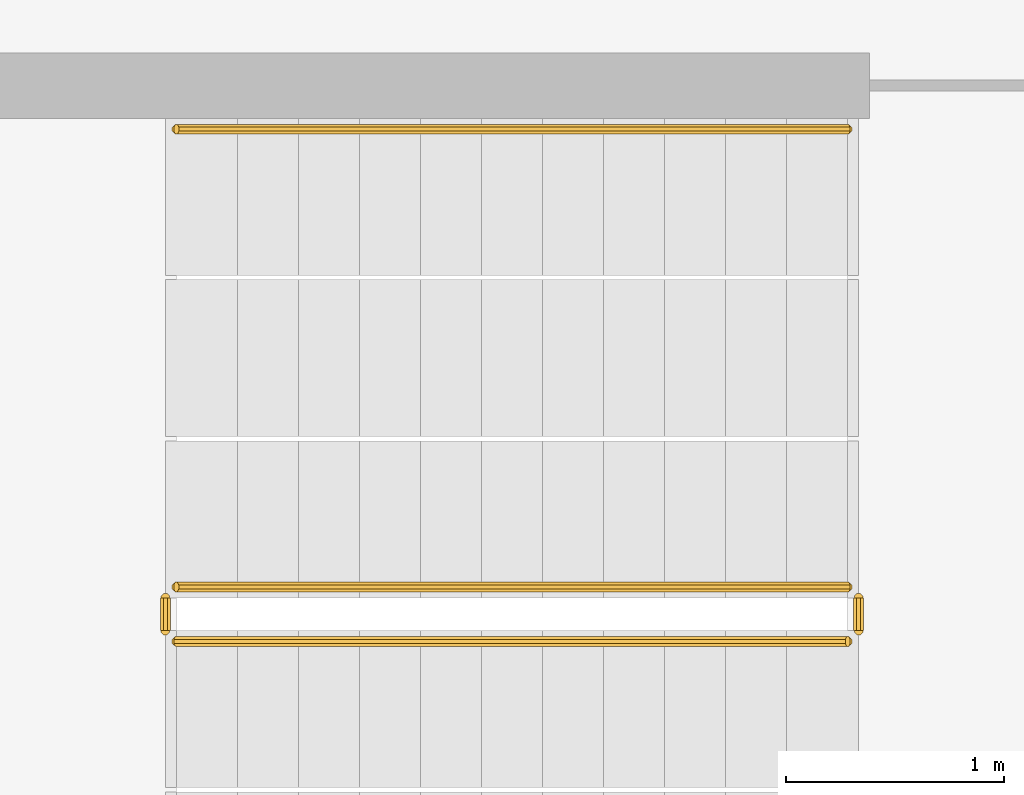
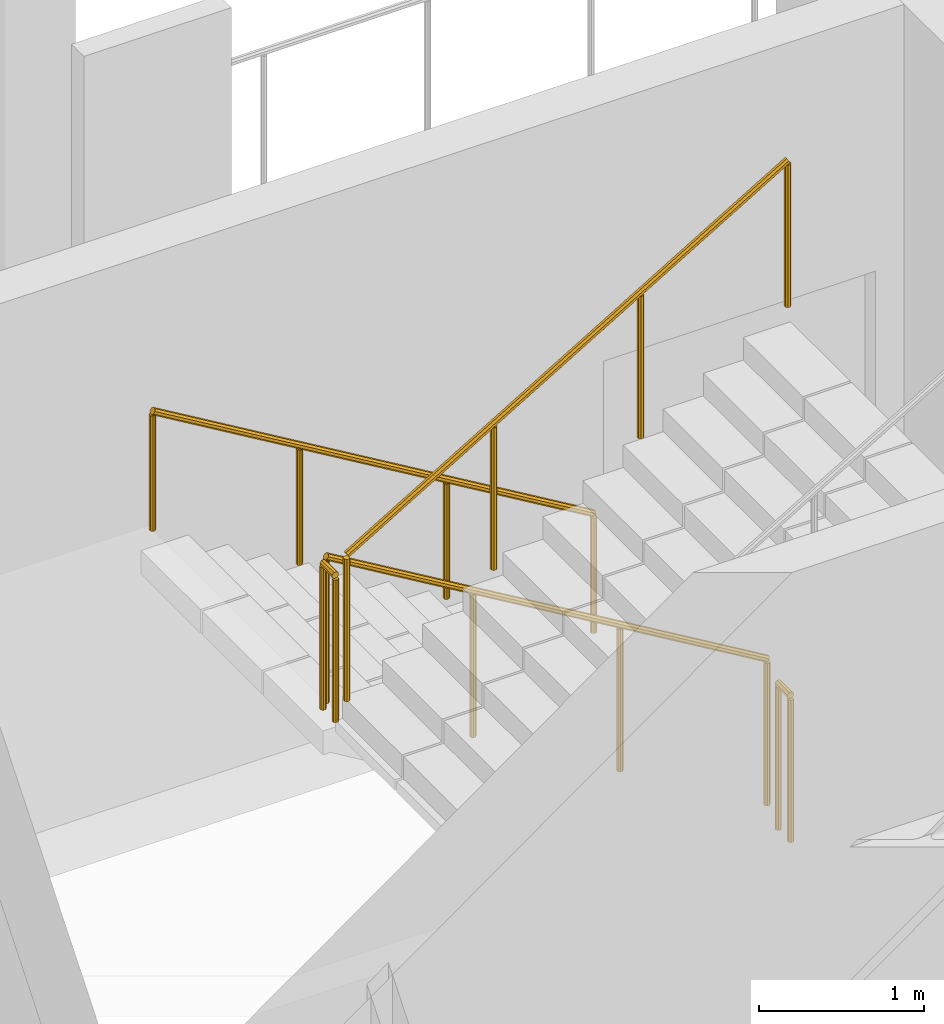
# One storey, part 20 of 28: 5 railings.
"""IFC4 building model written with IfcOpenShell, lengths in metres."""

import ifcopenshell
import ifcopenshell.guid

model = None  # the IFC model being written
_history = None  # IfcOwnerHistory: only IFC2X3 demands one
_inside = {}  # id of a spatial element -> (the spatial element, [elements in it])
_under = {}  # id of a project, library or spatial element -> (it, [spatial elements below it])
_declared = {}  # id of a project -> (the project, [libraries it declares])
_typed = {}  # id of a type object -> (the type object, [elements of that type])
_made_of = {}  # id of a material, layer set ... -> (it, [elements and type objects made of it])


def new_model(schema):
    """Start an empty IFC model of exactly this schema.

    Asked for "IFC4X3", IfcOpenShell would pick the latest addendum, in which some entities
    have other attributes; the version numbers below select the first issue.
    IFC2X3 requires an IfcOwnerHistory on every rooted entity: one is made here for all.
    """
    global model, _history
    if schema == "IFC4X3":
        model = ifcopenshell.file(schema_version=(4, 3, 0, 0))
    else:
        model = ifcopenshell.file(schema=schema)
    _inside.clear()
    _under.clear()
    _declared.clear()
    _typed.clear()
    _made_of.clear()
    _history = None
    if model.schema == "IFC2X3":
        org = make("IfcOrganization", Name="unknown")
        user = make(
            "IfcPersonAndOrganization",
            ThePerson=make("IfcPerson", FamilyName="unknown"),
            TheOrganization=org,
        )
        app = make(
            "IfcApplication",
            ApplicationDeveloper=org,
            Version="unknown",
            ApplicationFullName="unknown",
            ApplicationIdentifier="unknown",
        )
        _history = make(
            "IfcOwnerHistory",
            OwningUser=user,
            OwningApplication=app,
            ChangeAction="ADDED",
            CreationDate=0,
        )
    return model


def make(cls, **values):
    """One entity of the class cls with the attributes given. An attribute that is None is left unset."""
    return model.create_entity(
        cls, **{name: value for name, value in values.items() if value is not None}
    )


def rooted(cls, **values):
    """An entity with a GlobalId (a new one), such as an element, a storey or a relation."""
    return make(cls, GlobalId=ifcopenshell.guid.new(), OwnerHistory=_history, **values)


def si_unit(unit_type, name, prefix=None):
    """IfcSIUnit, for example si_unit("LENGTHUNIT", "METRE", prefix="MILLI")."""
    return make("IfcSIUnit", UnitType=unit_type, Prefix=prefix, Name=name)


def assignment(units):
    """IfcUnitAssignment: the units of a project."""
    return None if units is None else make("IfcUnitAssignment", Units=units)


def point(xyz):
    """IfcCartesianPoint."""
    return None if xyz is None else make("IfcCartesianPoint", Coordinates=xyz)


def direction(xyz):
    """IfcDirection."""
    return None if xyz is None else make("IfcDirection", DirectionRatios=xyz)


def frame(location, z_axis=None, x_axis=None):
    """IfcAxis2Placement3D, a coordinate frame: its origin and axes. An axis left out is left unset."""
    return make(
        "IfcAxis2Placement3D",
        Location=point(location),
        Axis=direction(z_axis),
        RefDirection=direction(x_axis),
    )


def origin():
    """The frame at (0, 0, 0) with its axes left unset."""
    return frame((0.0, 0.0, 0.0))


def place(relative_to, where):
    """IfcLocalPlacement: puts the frame where relative to a parent placement (None: the world)."""
    return make(
        "IfcLocalPlacement", PlacementRelTo=relative_to, RelativePlacement=where
    )


def context(
    kind, dimensions, precision=None, world=None, true_north=None, identifier=None
):
    """IfcGeometricRepresentationContext, for example the 3D "Model" context."""
    return make(
        "IfcGeometricRepresentationContext",
        ContextIdentifier=identifier,
        ContextType=kind,
        CoordinateSpaceDimension=dimensions,
        Precision=precision,
        WorldCoordinateSystem=world,
        TrueNorth=true_north,
    )


def subcontext(parent, identifier, kind, view, scale=None):
    """IfcGeometricRepresentationSubContext, for example "Body" below "Model"."""
    return make(
        "IfcGeometricRepresentationSubContext",
        ContextIdentifier=identifier,
        ContextType=kind,
        ParentContext=parent,
        TargetScale=scale,
        TargetView=view,
    )


def project(units=None, contexts=None):
    """IfcProject with its units and contexts."""
    return rooted(
        "IfcProject",
        Name="project",
        RepresentationContexts=contexts,
        UnitsInContext=assignment(units),
    )


def spatial(cls, under=None, at=None, **own):
    """A site, building, storey or space (cls), placed at a placement, below another one or the project."""
    s = rooted(cls, ObjectPlacement=at, **own)
    if under is not None:
        _under.setdefault(under.id(), (under, []))[1].append(s)
    return s


def polyline(points):
    """IfcPolyline through the points."""
    return make("IfcPolyline", Points=[point(p) for p in points])


def outline(outer, holes=None, kind="AREA"):
    """IfcArbitraryClosedProfileDef: a profile drawn as a closed curve; with holes, ...WithVoids."""
    if holes is None:
        return make("IfcArbitraryClosedProfileDef", ProfileType=kind, OuterCurve=outer)
    return make(
        "IfcArbitraryProfileDefWithVoids",
        ProfileType=kind,
        OuterCurve=outer,
        InnerCurves=holes,
    )


def extrude(swept, where, along, depth):
    """IfcExtrudedAreaSolid: the profile swept, set in the frame where, extruded along a direction by depth."""
    return make(
        "IfcExtrudedAreaSolid",
        SweptArea=swept,
        Position=where,
        ExtrudedDirection=direction(along),
        Depth=depth,
    )


def shape(context_of_items, identifier, shape_type, items):
    """IfcShapeRepresentation: the items that make up one representation, for example the "Body"."""
    return make(
        "IfcShapeRepresentation",
        ContextOfItems=context_of_items,
        RepresentationIdentifier=identifier,
        RepresentationType=shape_type,
        Items=items,
    )


def material(Name=None, Category=None):
    """IfcMaterial."""
    return make("IfcMaterial", Name=Name, Category=Category)


def made_of(thing, what):
    """Note that an element or type object is made of a material, layer set ...; save() writes the relation."""
    if what is not None:
        _made_of.setdefault(what.id(), (what, []))[1].append(thing)
    return thing


def type_object(cls, material=None, **own):
    """A type object (cls), such as IfcWallType, which elements share."""
    return made_of(rooted(cls, **own), material)


def element(
    cls,
    number,
    at=None,
    inside=None,
    cuts=None,
    type_object=None,
    material=None,
    context=None,
    identifier="Body",
    shape_type=None,
    held_by="IfcProductDefinitionShape",
    body=None,
    shapes=None,
    **own,
):
    """One element of the class cls, such as IfcWall. Its Tag is "e" and its number.

    at: its placement. inside: the storey or other place that contains it. cuts: it is an
    opening in that element (IfcRelVoidsElement). A single representation is given by context,
    identifier, shape_type and body (its items); several are given by shapes. held_by: the class
    of the entity that holds the representations. save() writes the other relations.
    """
    e = rooted(cls, Tag="e%d" % number, ObjectPlacement=at, **own)
    if body is not None:
        shapes = [shape(context, identifier, shape_type, body)]
    if shapes is not None:
        e.Representation = make(held_by, Representations=shapes)
    if inside is not None:
        _inside.setdefault(inside.id(), (inside, []))[1].append(e)
    if cuts is not None:
        rooted(
            "IfcRelVoidsElement", RelatingBuildingElement=cuts, RelatedOpeningElement=e
        )
    if type_object is not None:
        _typed.setdefault(type_object.id(), (type_object, []))[1].append(e)
    return made_of(e, material)


def aggregate(whole, parts):
    """IfcRelAggregates: a whole, such as a stair, and the parts it consists of."""
    return rooted("IfcRelAggregates", RelatingObject=whole, RelatedObjects=parts)


def save(model, path):
    """Write the relations noted so far, then the file.

    IfcRelAggregates (storeys below a building ...), IfcRelContainedInSpatialStructure (elements
    in a storey), IfcRelDefinesByType, IfcRelAssociatesMaterial and IfcRelDeclares: one each for
    every whole, place, type object, material and project.
    """
    for whole, parts in _under.values():
        aggregate(whole, parts)
    for where, things in _inside.values():
        rooted(
            "IfcRelContainedInSpatialStructure",
            RelatedElements=things,
            RelatingStructure=where,
        )
    for kind, things in _typed.values():
        rooted("IfcRelDefinesByType", RelatedObjects=things, RelatingType=kind)
    for what, things in _made_of.values():
        rooted("IfcRelAssociatesMaterial", RelatedObjects=things, RelatingMaterial=what)
    for by, libraries in _declared.values():
        rooted("IfcRelDeclares", RelatingContext=by, RelatedDefinitions=libraries)
    model.write(path)


model = new_model("IFC4")

# Units and contexts
model_context = context("Model", 3, precision=1e-05, world=origin(), true_north=direction((0.0, 1.0)))
body_context = subcontext(model_context, "Body", "Model", "MODEL_VIEW")
ifc_project = project(units=[si_unit("LENGTHUNIT", "METRE"), si_unit("AREAUNIT", "SQUARE_METRE"), si_unit("VOLUMEUNIT", "CUBIC_METRE"), si_unit("PLANEANGLEUNIT", "RADIAN"), si_unit("MASSUNIT", "GRAM", prefix="KILO")], contexts=[model_context])

# Site, building, storey
site_placement = place(None, origin())
site = spatial("IfcSite", under=ifc_project, at=site_placement, CompositionType="ELEMENT")
building_placement = place(site_placement, origin())
building = spatial("IfcBuilding", under=site, at=building_placement, Name="Cormorant Relay Tower", CompositionType="ELEMENT")
storey_placement = place(building_placement, frame((0.0, 0.0, 154.199951171875)))
storey = spatial("IfcBuildingStorey", under=building, at=storey_placement, Name="L32", CompositionType="ELEMENT", Elevation=154.199951171875)

# Railings
ifc_material_1 = material(Name="Steel ASTM A572 Grade 50 (Fy 345 MPa)", Category="steel")
railing_type_1 = type_object("IfcRailingType", Name="Stair guard 1100", PredefinedType="GUARDRAIL", material=ifc_material_1)
railing_1_placement = place(storey_placement, frame((1.60009765625, -18.27490234375, 0.166748046875)))
element("IfcRailing", 1, at=railing_1_placement, inside=storey, type_object=railing_type_1, Name="L32 RK1 stair guard 1", PredefinedType="GUARDRAIL", context=body_context, shape_type="SweptSolid", body=[
    extrude(outline(polyline([(0.022216796875, 0.00927734375), (0.00927734375, 0.022216796875), (-0.00927734375, 0.022216796875), (-0.022216796875, 0.00927734375), (-0.022216796875, -0.00927734375), (-0.00927734375, -0.022216796875), (0.00927734375, -0.022216796875), (0.022216796875, -0.00927734375), (0.022216796875, 0.00927734375)])), frame((0.0, 0.0, 1.076171875), z_axis=(-0.859308565015, 0.0, 0.511457515432), x_axis=(0.0, -1.0, 0.0)), (0.0, 0.0, 1.0), 3.58447265625),
    extrude(outline(polyline([(0.019287109375, 0.008056640625), (0.008056640625, 0.019287109375), (-0.008056640625, 0.019287109375), (-0.019287109375, 0.008056640625), (-0.019287109375, -0.008056640625), (-0.008056640625, -0.019287109375), (0.008056640625, -0.019287109375), (0.019287109375, -0.008056640625), (0.019287109375, 0.008056640625)])), origin(), (0.0, 0.0, 1.0), 1.052001953125),
    extrude(outline(polyline([(0.019287109375, 0.008056640625), (0.008056640625, 0.019287109375), (-0.008056640625, 0.019287109375), (-0.019287109375, 0.008056640625), (-0.019287109375, -0.008056640625), (-0.008056640625, -0.019287109375), (0.008056640625, -0.019287109375), (0.019287109375, -0.008056640625), (0.019287109375, 0.008056640625)])), frame((-1.026611328125, 0.0, 0.611083984375)), (0.0, 0.0, 1.0), 1.052001953125),
    extrude(outline(polyline([(0.019287109375, 0.008056640625), (0.008056640625, 0.019287109375), (-0.008056640625, 0.019287109375), (-0.019287109375, 0.008056640625), (-0.019287109375, -0.008056640625), (-0.008056640625, -0.019287109375), (0.008056640625, -0.019287109375), (0.019287109375, -0.008056640625), (0.019287109375, 0.008056640625)])), frame((-2.053466796875, 0.0, 1.22216796875)), (0.0, 0.0, 1.0), 1.052001953125),
    extrude(outline(polyline([(0.019287109375, 0.008056640625), (0.008056640625, 0.019287109375), (-0.008056640625, 0.019287109375), (-0.019287109375, 0.008056640625), (-0.019287109375, -0.008056640625), (-0.008056640625, -0.019287109375), (0.008056640625, -0.019287109375), (0.019287109375, -0.008056640625), (0.019287109375, 0.008056640625)])), frame((-3.080078125, 0.0, 1.833251953125)), (0.0, 0.0, 1.0), 1.052001953125),
])
railing_2_placement = place(storey_placement, frame((-1.530029296875, -18.324951171875, 2.0)))
element("IfcRailing", 2, at=railing_2_placement, inside=storey, type_object=railing_type_1, Name="L32 RK1 stair guard 2", PredefinedType="GUARDRAIL", context=body_context, shape_type="SweptSolid", body=[
    extrude(outline(polyline([(0.022216796875, 0.00927734375), (0.00927734375, 0.022216796875), (-0.00927734375, 0.022216796875), (-0.022216796875, 0.00927734375), (-0.022216796875, -0.00927734375), (-0.00927734375, -0.022216796875), (0.00927734375, -0.022216796875), (0.022216796875, -0.00927734375), (0.022216796875, 0.00927734375)])), frame((0.0, 0.0, 1.076171875), z_axis=(0.0, -1.0, 0.0), x_axis=(1.0, 0.0, 0.0)), (0.0, 0.0, 1.0), 0.150146484375),
    extrude(outline(polyline([(0.019287109375, 0.008056640625), (0.008056640625, 0.019287109375), (-0.008056640625, 0.019287109375), (-0.019287109375, 0.008056640625), (-0.019287109375, -0.008056640625), (-0.008056640625, -0.019287109375), (0.008056640625, -0.019287109375), (0.019287109375, -0.008056640625), (0.019287109375, 0.008056640625)])), origin(), (0.0, 0.0, 1.0), 1.052001953125),
    extrude(outline(polyline([(0.019287109375, 0.008056640625), (0.008056640625, 0.019287109375), (-0.008056640625, 0.019287109375), (-0.019287109375, 0.008056640625), (-0.019287109375, -0.008056640625), (-0.008056640625, -0.019287109375), (0.008056640625, -0.019287109375), (0.019287109375, -0.008056640625), (0.019287109375, 0.008056640625)])), frame((0.0, -0.150146484375, 0.0)), (0.0, 0.0, 1.0), 1.052001953125),
])
railing_3_placement = place(storey_placement, frame((-1.47998046875, -18.52490234375, 2.166748046875)))
element("IfcRailing", 3, at=railing_3_placement, inside=storey, type_object=railing_type_1, Name="L32 RK1 stair guard 3", PredefinedType="GUARDRAIL", context=body_context, shape_type="SweptSolid", body=[
    extrude(outline(polyline([(0.022216796875, 0.00927734375), (0.00927734375, 0.022216796875), (-0.00927734375, 0.022216796875), (-0.022216796875, 0.00927734375), (-0.022216796875, -0.00927734375), (-0.00927734375, -0.022216796875), (0.00927734375, -0.022216796875), (0.022216796875, -0.00927734375), (0.022216796875, 0.00927734375)])), frame((0.0, 0.0, 1.076171875), z_axis=(0.859308565015, 0.0, 0.511457515432), x_axis=(0.0, 1.0, 0.0)), (0.0, 0.0, 1.0), 3.58447265625),
    extrude(outline(polyline([(0.019287109375, 0.008056640625), (0.008056640625, 0.019287109375), (-0.008056640625, 0.019287109375), (-0.019287109375, 0.008056640625), (-0.019287109375, -0.008056640625), (-0.008056640625, -0.019287109375), (0.008056640625, -0.019287109375), (0.019287109375, -0.008056640625), (0.019287109375, 0.008056640625)])), origin(), (0.0, 0.0, 1.0), 1.052001953125),
    extrude(outline(polyline([(0.019287109375, 0.008056640625), (0.008056640625, 0.019287109375), (-0.008056640625, 0.019287109375), (-0.019287109375, 0.008056640625), (-0.019287109375, -0.008056640625), (-0.008056640625, -0.019287109375), (0.008056640625, -0.019287109375), (0.019287109375, -0.008056640625), (0.019287109375, 0.008056640625)])), frame((1.026611328125, 0.0, 0.611083984375)), (0.0, 0.0, 1.0), 1.052001953125),
    extrude(outline(polyline([(0.019287109375, 0.008056640625), (0.008056640625, 0.019287109375), (-0.008056640625, 0.019287109375), (-0.019287109375, 0.008056640625), (-0.019287109375, -0.008056640625), (-0.008056640625, -0.019287109375), (0.008056640625, -0.019287109375), (0.019287109375, -0.008056640625), (0.019287109375, 0.008056640625)])), frame((2.053466796875, 0.0, 1.22216796875)), (0.0, 0.0, 1.0), 1.052001953125),
    extrude(outline(polyline([(0.019287109375, 0.008056640625), (0.008056640625, 0.019287109375), (-0.008056640625, 0.019287109375), (-0.019287109375, 0.008056640625), (-0.019287109375, -0.008056640625), (-0.008056640625, -0.019287109375), (0.008056640625, -0.019287109375), (0.019287109375, -0.008056640625), (0.019287109375, 0.008056640625)])), frame((3.080078125, 0.0, 1.833251953125)), (0.0, 0.0, 1.0), 1.052001953125),
])
railing_4_placement = place(storey_placement, frame((1.64990234375, -18.324951171875, 0.0)))
element("IfcRailing", 4, at=railing_4_placement, inside=storey, type_object=railing_type_1, Name="L32 RK1 stair guard 4", PredefinedType="GUARDRAIL", context=body_context, shape_type="SweptSolid", body=[
    extrude(outline(polyline([(0.022216796875, 0.00927734375), (0.00927734375, 0.022216796875), (-0.00927734375, 0.022216796875), (-0.022216796875, 0.00927734375), (-0.022216796875, -0.00927734375), (-0.00927734375, -0.022216796875), (0.00927734375, -0.022216796875), (0.022216796875, -0.00927734375), (0.022216796875, 0.00927734375)])), frame((0.0, 0.0, 1.076171875), z_axis=(0.0, -1.0, 0.0), x_axis=(1.0, 0.0, 0.0)), (0.0, 0.0, 1.0), 0.150146484375),
    extrude(outline(polyline([(0.019287109375, 0.008056640625), (0.008056640625, 0.019287109375), (-0.008056640625, 0.019287109375), (-0.019287109375, 0.008056640625), (-0.019287109375, -0.008056640625), (-0.008056640625, -0.019287109375), (0.008056640625, -0.019287109375), (0.019287109375, -0.008056640625), (0.019287109375, 0.008056640625)])), origin(), (0.0, 0.0, 1.0), 1.052001953125),
    extrude(outline(polyline([(0.019287109375, 0.008056640625), (0.008056640625, 0.019287109375), (-0.008056640625, 0.019287109375), (-0.019287109375, 0.008056640625), (-0.019287109375, -0.008056640625), (-0.008056640625, -0.019287109375), (0.008056640625, -0.019287109375), (0.019287109375, -0.008056640625), (0.019287109375, 0.008056640625)])), frame((0.0, -0.150146484375, 0.0)), (0.0, 0.0, 1.0), 1.052001953125),
])
ifc_material_2 = material(Name="Steel ASTM A572 Grade 50 (Fy 345 MPa)", Category="steel")
railing_type_2 = type_object("IfcRailingType", Name="Stair handrail 900", PredefinedType="HANDRAIL", material=ifc_material_2)
railing_5_placement = place(storey_placement, frame((1.60009765625, -16.175048828125, 0.166748046875)))
element("IfcRailing", 5, at=railing_5_placement, inside=storey, type_object=railing_type_2, Name="L32 RK1 stair handrail 1", PredefinedType="HANDRAIL", context=body_context, shape_type="SweptSolid", body=[
    extrude(outline(polyline([(0.022216796875, 0.00927734375), (0.00927734375, 0.022216796875), (-0.00927734375, 0.022216796875), (-0.022216796875, 0.00927734375), (-0.022216796875, -0.00927734375), (-0.00927734375, -0.022216796875), (0.00927734375, -0.022216796875), (0.022216796875, -0.00927734375), (0.022216796875, 0.00927734375)])), frame((0.0, 0.0, 0.8759765625), z_axis=(-0.859308565015, 0.0, 0.511457515432), x_axis=(0.0, -1.0, 0.0)), (0.0, 0.0, 1.0), 3.58447265625),
    extrude(outline(polyline([(0.019287109375, 0.008056640625), (0.008056640625, 0.019287109375), (-0.008056640625, 0.019287109375), (-0.019287109375, 0.008056640625), (-0.019287109375, -0.008056640625), (-0.008056640625, -0.019287109375), (0.008056640625, -0.019287109375), (0.019287109375, -0.008056640625), (0.019287109375, 0.008056640625)])), origin(), (0.0, 0.0, 1.0), 0.851806640625),
    extrude(outline(polyline([(0.019287109375, 0.008056640625), (0.008056640625, 0.019287109375), (-0.008056640625, 0.019287109375), (-0.019287109375, 0.008056640625), (-0.019287109375, -0.008056640625), (-0.008056640625, -0.019287109375), (0.008056640625, -0.019287109375), (0.019287109375, -0.008056640625), (0.019287109375, 0.008056640625)])), frame((-1.026611328125, 0.0, 0.611083984375)), (0.0, 0.0, 1.0), 0.851806640625),
    extrude(outline(polyline([(0.019287109375, 0.008056640625), (0.008056640625, 0.019287109375), (-0.008056640625, 0.019287109375), (-0.019287109375, 0.008056640625), (-0.019287109375, -0.008056640625), (-0.008056640625, -0.019287109375), (0.008056640625, -0.019287109375), (0.019287109375, -0.008056640625), (0.019287109375, 0.008056640625)])), frame((-2.053466796875, 0.0, 1.22216796875)), (0.0, 0.0, 1.0), 0.851806640625),
    extrude(outline(polyline([(0.019287109375, 0.008056640625), (0.008056640625, 0.019287109375), (-0.008056640625, 0.019287109375), (-0.019287109375, 0.008056640625), (-0.019287109375, -0.008056640625), (-0.008056640625, -0.019287109375), (0.008056640625, -0.019287109375), (0.019287109375, -0.008056640625), (0.019287109375, 0.008056640625)])), frame((-3.080078125, 0.0, 1.833251953125)), (0.0, 0.0, 1.0), 0.851806640625),
])

save(model, "model.ifc")
